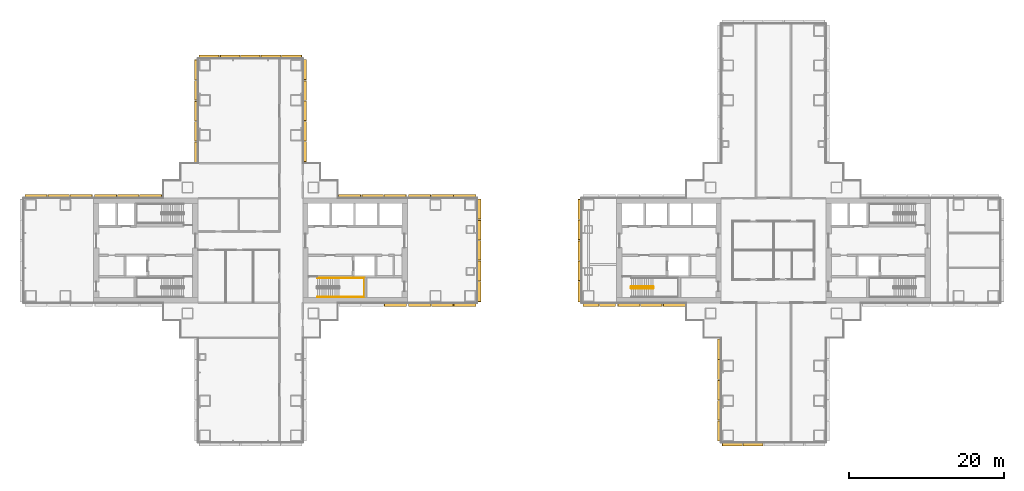
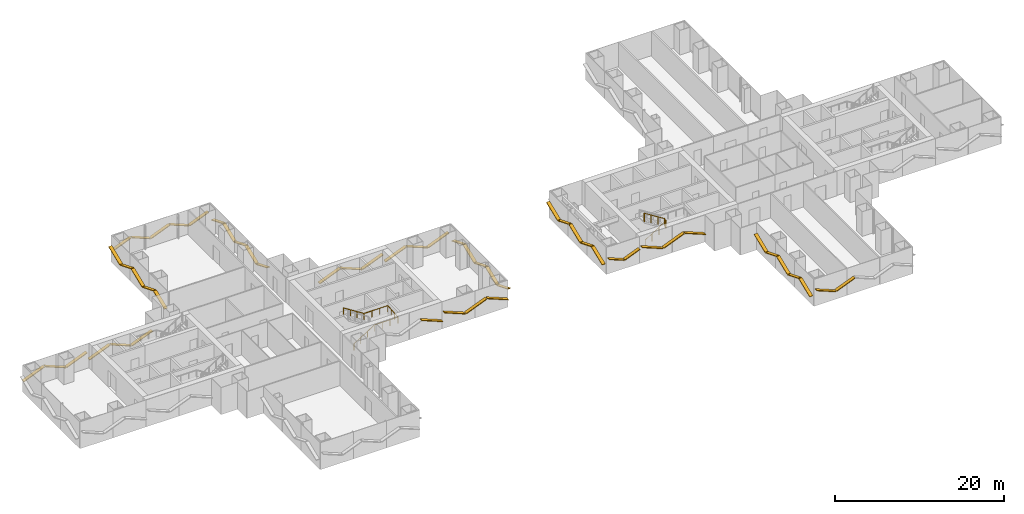
# One storey, part 19 of 21: 53 shading devices, 2 railings.
"""IFC4 building model written with IfcOpenShell, lengths in metres."""

from ifc_helpers import new_model, si_unit, direction, frame, origin, origin_2d, place, context, subcontext, project, spatial, rectangle, circle, extrude, material, material_profile, profile_set, type_object, element, save


model = new_model("IFC4")

# Units and contexts
model_context = context("Model", 3, precision=1e-05, world=origin(), true_north=direction((0.0, 1.0)))
body_context = subcontext(model_context, "Body", "Model", "MODEL_VIEW")
ifc_project = project(units=[si_unit("LENGTHUNIT", "METRE"), si_unit("AREAUNIT", "SQUARE_METRE"), si_unit("VOLUMEUNIT", "CUBIC_METRE"), si_unit("PLANEANGLEUNIT", "RADIAN"), si_unit("MASSUNIT", "GRAM", prefix="KILO")], contexts=[model_context])

# Site, building, storey
site_placement = place(None, origin())
site = spatial("IfcSite", under=ifc_project, at=site_placement, CompositionType="ELEMENT")
building_placement = place(site_placement, origin())
building = spatial("IfcBuilding", under=site, at=building_placement, Name="Shamsa Quay Exchange Towers", CompositionType="ELEMENT")
storey_placement = place(building_placement, frame((0.0, 0.0, 57.60009765625)))
storey = spatial("IfcBuildingStorey", under=building, at=storey_placement, Name="L12", CompositionType="ELEMENT", Elevation=57.60009765625)

# Shading devices
ifc_material_1 = material(Name="Aluminium EN AW-6063 T6, black anodised", Category="aluminium")
ifc_material_profile = material_profile(ifc_material_1, rectangle(XDim=0.449951171875, YDim=0.10009765625, at=origin_2d()), Name="FIN450x100")
ifc_profile_set = profile_set([ifc_material_profile], Name="Aluminium EN AW-6063 T6, black anodised")
shading_device_type = type_object("IfcShadingDeviceType", Name="FIN 450x100 BLACK ALUMINIUM", PredefinedType="USERDEFINED", material=ifc_profile_set)
shading_device_1_placement = place(storey_placement, frame((-16.4873046875, -7.01904296875, 2.173095703125), z_axis=(0.927172570945, 0.0, -0.374634520148), x_axis=(0.0, 1.0, 0.0)))
element("IfcShadingDevice", 1, at=shading_device_1_placement, inside=storey, type_object=shading_device_type, Name="FIN T1 chevron rib", ObjectType="FIN", PredefinedType="USERDEFINED", context=body_context, shape_type="SweptSolid", body=[
    extrude(rectangle(XDim=0.449951171875, YDim=0.10009765625, at=origin_2d()), origin(), (0.0, 0.0, 1.0), 3.060302734375),
])
shading_device_2_placement = place(storey_placement, frame((-13.35009765625, -7.014892578125, 2.175537109375), z_axis=(0.927200465101, 0.0, -0.374565478278), x_axis=(0.0, 1.0, 0.0)))
element("IfcShadingDevice", 2, at=shading_device_2_placement, inside=storey, type_object=shading_device_type, Name="FIN T1 chevron rib", ObjectType="FIN", PredefinedType="USERDEFINED", context=body_context, shape_type="SweptSolid", body=[
    extrude(rectangle(XDim=0.449951171875, YDim=0.10009765625, at=origin_2d()), origin(), (0.0, 0.0, 1.0), 3.073974609375),
])
shading_device_3_placement = place(storey_placement, frame((-10.39990234375, -7.014892578125, 1.0341796875), z_axis=(0.927166240011, 0.0, 0.37465018802), x_axis=(0.0, 1.0, 0.0)))
element("IfcShadingDevice", 3, at=shading_device_3_placement, inside=storey, type_object=shading_device_type, Name="FIN T1 chevron rib", ObjectType="FIN", PredefinedType="USERDEFINED", context=body_context, shape_type="SweptSolid", body=[
    extrude(rectangle(XDim=0.449951171875, YDim=0.10009765625, at=origin_2d()), origin(), (0.0, 0.0, 1.0), 3.019775390625),
])
shading_device_4_placement = place(storey_placement, frame((-7.5, -7.014892578125, 2.175537109375), z_axis=(0.927200465101, 0.0, -0.374565478278), x_axis=(0.0, 1.0, 0.0)))
element("IfcShadingDevice", 4, at=shading_device_4_placement, inside=storey, type_object=shading_device_type, Name="FIN T1 chevron rib", ObjectType="FIN", PredefinedType="USERDEFINED", context=body_context, shape_type="SweptSolid", body=[
    extrude(rectangle(XDim=0.449951171875, YDim=0.10009765625, at=origin_2d()), origin(), (0.0, 0.0, 1.0), 3.073974609375),
])
shading_device_5_placement = place(storey_placement, frame((-4.235107421875, -6.60009765625, 2.123046875), z_axis=(0.0, 0.927193392866, -0.374582984431), x_axis=(-1.0, 0.0, 0.0)))
element("IfcShadingDevice", 5, at=shading_device_5_placement, inside=storey, type_object=shading_device_type, Name="FIN T1 chevron rib", ObjectType="FIN", PredefinedType="USERDEFINED", context=body_context, shape_type="SweptSolid", body=[
    extrude(rectangle(XDim=0.449951171875, YDim=0.10009765625, at=origin_2d()), origin(), (0.0, 0.0, 1.0), 2.79345703125),
])
shading_device_6_placement = place(storey_placement, frame((-4.235107421875, -3.909912109375, 1.086669921875), z_axis=(0.0, 0.927155522456, 0.374676710219), x_axis=(-1.0, 0.0, 0.0)))
element("IfcShadingDevice", 6, at=shading_device_6_placement, inside=storey, type_object=shading_device_type, Name="FIN T1 chevron rib", ObjectType="FIN", PredefinedType="USERDEFINED", context=body_context, shape_type="SweptSolid", body=[
    extrude(rectangle(XDim=0.449951171875, YDim=0.10009765625, at=origin_2d()), origin(), (0.0, 0.0, 1.0), 2.7392578125),
])
shading_device_7_placement = place(storey_placement, frame((-4.235107421875, -1.27001953125, 2.113037109375), z_axis=(0.0, 0.927168032348, -0.374645752402), x_axis=(-1.0, 0.0, 0.0)))
element("IfcShadingDevice", 7, at=shading_device_7_placement, inside=storey, type_object=shading_device_type, Name="FIN T1 chevron rib", ObjectType="FIN", PredefinedType="USERDEFINED", context=body_context, shape_type="SweptSolid", body=[
    extrude(rectangle(XDim=0.449951171875, YDim=0.10009765625, at=origin_2d()), origin(), (0.0, 0.0, 1.0), 2.739501953125),
])
shading_device_8_placement = place(storey_placement, frame((-4.235107421875, 1.3701171875, 1.086669921875), z_axis=(0.0, 0.927155522456, 0.374676710219), x_axis=(-1.0, 0.0, 0.0)))
element("IfcShadingDevice", 8, at=shading_device_8_placement, inside=storey, type_object=shading_device_type, Name="FIN T1 chevron rib", ObjectType="FIN", PredefinedType="USERDEFINED", context=body_context, shape_type="SweptSolid", body=[
    extrude(rectangle(XDim=0.449951171875, YDim=0.10009765625, at=origin_2d()), origin(), (0.0, 0.0, 1.0), 2.7392578125),
])
shading_device_9_placement = place(storey_placement, frame((-4.235107421875, 4.010009765625, 2.123046875), z_axis=(0.0, 0.927193392866, -0.374582984431), x_axis=(-1.0, 0.0, 0.0)))
element("IfcShadingDevice", 9, at=shading_device_9_placement, inside=storey, type_object=shading_device_type, Name="FIN T1 chevron rib", ObjectType="FIN", PredefinedType="USERDEFINED", context=body_context, shape_type="SweptSolid", body=[
    extrude(rectangle(XDim=0.449951171875, YDim=0.10009765625, at=origin_2d()), origin(), (0.0, 0.0, 1.0), 2.79345703125),
])
shading_device_10_placement = place(storey_placement, frame((-4.64990234375, 7.014892578125, 2.175537109375), z_axis=(-0.927200465101, 0.0, -0.374565478278), x_axis=(0.0, -1.0, 0.0)))
element("IfcShadingDevice", 10, at=shading_device_10_placement, inside=storey, type_object=shading_device_type, Name="FIN T1 chevron rib", ObjectType="FIN", PredefinedType="USERDEFINED", context=body_context, shape_type="SweptSolid", body=[
    extrude(rectangle(XDim=0.449951171875, YDim=0.10009765625, at=origin_2d()), origin(), (0.0, 0.0, 1.0), 3.073974609375),
])
shading_device_11_placement = place(storey_placement, frame((-7.60009765625, 7.014892578125, 1.0341796875), z_axis=(-0.927166240011, 0.0, 0.37465018802), x_axis=(0.0, -1.0, 0.0)))
element("IfcShadingDevice", 11, at=shading_device_11_placement, inside=storey, type_object=shading_device_type, Name="FIN T1 chevron rib", ObjectType="FIN", PredefinedType="USERDEFINED", context=body_context, shape_type="SweptSolid", body=[
    extrude(rectangle(XDim=0.449951171875, YDim=0.10009765625, at=origin_2d()), origin(), (0.0, 0.0, 1.0), 3.019775390625),
])
for number, where, z_axis, x_axis, name in (
    (12, (-10.5, 7.014892578125, 2.175537109375), (-0.927200465101, 0.0, -0.374565478278), (0.0, -1.0, 0.0), "FIN T1 chevron rib"),
    (13, (-13.64990234375, 7.01904296875, 2.175537109375), (-0.927200465101, 0.0, -0.374565478278), (0.0, -1.0, 0.0), "FIN T1 chevron rib"),
):
    element("IfcShadingDevice", number, at=place(storey_placement, frame(where, z_axis=z_axis, x_axis=x_axis)), inside=storey, type_object=shading_device_type, Name=name, ObjectType="FIN", PredefinedType="USERDEFINED", context=body_context, shape_type="SweptSolid", body=[
        extrude(rectangle(XDim=0.449951171875, YDim=0.10009765625, at=origin_2d()), origin(), (0.0, 0.0, 1.0), 3.073974609375),
    ])
shading_device_12_placement = place(storey_placement, frame((-16.60009765625, 7.01904296875, 1.0341796875), z_axis=(-0.927166240011, 0.0, 0.37465018802), x_axis=(0.0, -1.0, 0.0)))
element("IfcShadingDevice", 14, at=shading_device_12_placement, inside=storey, type_object=shading_device_type, Name="FIN T1 chevron rib", ObjectType="FIN", PredefinedType="USERDEFINED", context=body_context, shape_type="SweptSolid", body=[
    extrude(rectangle(XDim=0.449951171875, YDim=0.10009765625, at=origin_2d()), origin(), (0.0, 0.0, 1.0), 3.019775390625),
])
shading_device_13_placement = place(storey_placement, frame((-19.5, 7.01904296875, 2.175537109375), z_axis=(-0.927200465101, 0.0, -0.374565478278), x_axis=(0.0, -1.0, 0.0)))
element("IfcShadingDevice", 15, at=shading_device_13_placement, inside=storey, type_object=shading_device_type, Name="FIN T1 chevron rib", ObjectType="FIN", PredefinedType="USERDEFINED", context=body_context, shape_type="SweptSolid", body=[
    extrude(rectangle(XDim=0.449951171875, YDim=0.10009765625, at=origin_2d()), origin(), (0.0, 0.0, 1.0), 3.073974609375),
])
shading_device_14_placement = place(storey_placement, frame((-26.735107421875, 11.43798828125, 2.12158203125), z_axis=(0.0, 0.927177443455, -0.374622461082), x_axis=(-1.0, 0.0, 0.0)))
element("IfcShadingDevice", 16, at=shading_device_14_placement, inside=storey, type_object=shading_device_type, Name="FIN T1 chevron rib", ObjectType="FIN", PredefinedType="USERDEFINED", context=body_context, shape_type="SweptSolid", body=[
    extrude(rectangle(XDim=0.449951171875, YDim=0.10009765625, at=origin_2d()), origin(), (0.0, 0.0, 1.0), 2.785400390625),
])
for number, where, z_axis, x_axis, name in (
    (17, (-26.735107421875, 14.120361328125, 1.08837890625), (0.0, 0.927182738176, 0.374609356569), (-1.0, 0.0, 0.0), "FIN T1 chevron rib"),
    (18, (-26.735107421875, 16.752685546875, 2.111572265625), (0.0, 0.927182738176, -0.374609356569), (-1.0, 0.0, 0.0), "FIN T1 chevron rib"),
):
    element("IfcShadingDevice", number, at=place(storey_placement, frame(where, z_axis=z_axis, x_axis=x_axis)), inside=storey, type_object=shading_device_type, Name=name, ObjectType="FIN", PredefinedType="USERDEFINED", context=body_context, shape_type="SweptSolid", body=[
        extrude(rectangle(XDim=0.449951171875, YDim=0.10009765625, at=origin_2d()), origin(), (0.0, 0.0, 1.0), 2.7314453125),
    ])
shading_device_15_placement = place(storey_placement, frame((-26.735107421875, 19.38525390625, 1.08837890625), z_axis=(0.0, 0.927170193131, 0.37464040488), x_axis=(-1.0, 0.0, 0.0)))
element("IfcShadingDevice", 19, at=shading_device_15_placement, inside=storey, type_object=shading_device_type, Name="FIN T1 chevron rib", ObjectType="FIN", PredefinedType="USERDEFINED", context=body_context, shape_type="SweptSolid", body=[
    extrude(rectangle(XDim=0.449951171875, YDim=0.10009765625, at=origin_2d()), origin(), (0.0, 0.0, 1.0), 2.731201171875),
])
shading_device_16_placement = place(storey_placement, frame((-26.735107421875, 22.017578125, 2.12158203125), z_axis=(0.0, 0.927177443455, -0.374622461082), x_axis=(-1.0, 0.0, 0.0)))
element("IfcShadingDevice", 20, at=shading_device_16_placement, inside=storey, type_object=shading_device_type, Name="FIN T1 chevron rib", ObjectType="FIN", PredefinedType="USERDEFINED", context=body_context, shape_type="SweptSolid", body=[
    extrude(rectangle(XDim=0.449951171875, YDim=0.10009765625, at=origin_2d()), origin(), (0.0, 0.0, 1.0), 2.785400390625),
])
shading_device_17_placement = place(storey_placement, frame((-27.14990234375, 25.014892578125, 2.123046875), z_axis=(-0.927193392866, 0.0, -0.374582984431), x_axis=(0.0, -1.0, 0.0)))
element("IfcShadingDevice", 21, at=shading_device_17_placement, inside=storey, type_object=shading_device_type, Name="FIN T1 chevron rib", ObjectType="FIN", PredefinedType="USERDEFINED", context=body_context, shape_type="SweptSolid", body=[
    extrude(rectangle(XDim=0.449951171875, YDim=0.10009765625, at=origin_2d()), origin(), (0.0, 0.0, 1.0), 2.79345703125),
])
shading_device_18_placement = place(storey_placement, frame((-29.840087890625, 25.014892578125, 1.086669921875), z_axis=(-0.927155522456, 0.0, 0.374676710219), x_axis=(0.0, -1.0, 0.0)))
element("IfcShadingDevice", 22, at=shading_device_18_placement, inside=storey, type_object=shading_device_type, Name="FIN T1 chevron rib", ObjectType="FIN", PredefinedType="USERDEFINED", context=body_context, shape_type="SweptSolid", body=[
    extrude(rectangle(XDim=0.449951171875, YDim=0.10009765625, at=origin_2d()), origin(), (0.0, 0.0, 1.0), 2.7392578125),
])
shading_device_19_placement = place(storey_placement, frame((-32.47998046875, 25.014892578125, 2.113037109375), z_axis=(-0.927168032348, 0.0, -0.374645752402), x_axis=(0.0, -1.0, 0.0)))
element("IfcShadingDevice", 23, at=shading_device_19_placement, inside=storey, type_object=shading_device_type, Name="FIN T1 chevron rib", ObjectType="FIN", PredefinedType="USERDEFINED", context=body_context, shape_type="SweptSolid", body=[
    extrude(rectangle(XDim=0.449951171875, YDim=0.10009765625, at=origin_2d()), origin(), (0.0, 0.0, 1.0), 2.739501953125),
])
shading_device_20_placement = place(storey_placement, frame((-35.1201171875, 25.014892578125, 1.086669921875), z_axis=(-0.927155522456, 0.0, 0.374676710219), x_axis=(0.0, -1.0, 0.0)))
element("IfcShadingDevice", 24, at=shading_device_20_placement, inside=storey, type_object=shading_device_type, Name="FIN T1 chevron rib", ObjectType="FIN", PredefinedType="USERDEFINED", context=body_context, shape_type="SweptSolid", body=[
    extrude(rectangle(XDim=0.449951171875, YDim=0.10009765625, at=origin_2d()), origin(), (0.0, 0.0, 1.0), 2.7392578125),
])
for number, where, z_axis, x_axis, name in (
    (25, (-37.760009765625, 25.014892578125, 2.123046875), (-0.927193392866, 0.0, -0.374582984431), (0.0, -1.0, 0.0), "FIN T1 chevron rib"),
    (26, (-40.764892578125, 24.60009765625, 2.123046875), (0.0, -0.927193392866, -0.374582984431), (1.0, 0.0, 0.0), "FIN T1 chevron rib"),
):
    element("IfcShadingDevice", number, at=place(storey_placement, frame(where, z_axis=z_axis, x_axis=x_axis)), inside=storey, type_object=shading_device_type, Name=name, ObjectType="FIN", PredefinedType="USERDEFINED", context=body_context, shape_type="SweptSolid", body=[
        extrude(rectangle(XDim=0.449951171875, YDim=0.10009765625, at=origin_2d()), origin(), (0.0, 0.0, 1.0), 2.79345703125),
    ])
shading_device_21_placement = place(storey_placement, frame((-40.764892578125, 21.909912109375, 1.086669921875), z_axis=(0.0, -0.927155522456, 0.374676710219), x_axis=(1.0, 0.0, 0.0)))
element("IfcShadingDevice", 27, at=shading_device_21_placement, inside=storey, type_object=shading_device_type, Name="FIN T1 chevron rib", ObjectType="FIN", PredefinedType="USERDEFINED", context=body_context, shape_type="SweptSolid", body=[
    extrude(rectangle(XDim=0.449951171875, YDim=0.10009765625, at=origin_2d()), origin(), (0.0, 0.0, 1.0), 2.7392578125),
])
shading_device_22_placement = place(storey_placement, frame((-40.764892578125, 19.27001953125, 2.113037109375), z_axis=(0.0, -0.927168032348, -0.374645752402), x_axis=(1.0, 0.0, 0.0)))
element("IfcShadingDevice", 28, at=shading_device_22_placement, inside=storey, type_object=shading_device_type, Name="FIN T1 chevron rib", ObjectType="FIN", PredefinedType="USERDEFINED", context=body_context, shape_type="SweptSolid", body=[
    extrude(rectangle(XDim=0.449951171875, YDim=0.10009765625, at=origin_2d()), origin(), (0.0, 0.0, 1.0), 2.739501953125),
])
shading_device_23_placement = place(storey_placement, frame((-40.764892578125, 16.6298828125, 1.086669921875), z_axis=(0.0, -0.927155522456, 0.374676710219), x_axis=(1.0, 0.0, 0.0)))
element("IfcShadingDevice", 29, at=shading_device_23_placement, inside=storey, type_object=shading_device_type, Name="FIN T1 chevron rib", ObjectType="FIN", PredefinedType="USERDEFINED", context=body_context, shape_type="SweptSolid", body=[
    extrude(rectangle(XDim=0.449951171875, YDim=0.10009765625, at=origin_2d()), origin(), (0.0, 0.0, 1.0), 2.7392578125),
])
shading_device_24_placement = place(storey_placement, frame((-40.764892578125, 13.989990234375, 2.123046875), z_axis=(0.0, -0.927193392866, -0.374582984431), x_axis=(1.0, 0.0, 0.0)))
element("IfcShadingDevice", 30, at=shading_device_24_placement, inside=storey, type_object=shading_device_type, Name="FIN T1 chevron rib", ObjectType="FIN", PredefinedType="USERDEFINED", context=body_context, shape_type="SweptSolid", body=[
    extrude(rectangle(XDim=0.449951171875, YDim=0.10009765625, at=origin_2d()), origin(), (0.0, 0.0, 1.0), 2.79345703125),
])
shading_device_25_placement = place(storey_placement, frame((-45.18798828125, 7.01904296875, 2.173095703125), z_axis=(-0.927172570945, 0.0, -0.374634520148), x_axis=(0.0, -1.0, 0.0)))
element("IfcShadingDevice", 31, at=shading_device_25_placement, inside=storey, type_object=shading_device_type, Name="FIN T1 chevron rib", ObjectType="FIN", PredefinedType="USERDEFINED", context=body_context, shape_type="SweptSolid", body=[
    extrude(rectangle(XDim=0.449951171875, YDim=0.10009765625, at=origin_2d()), origin(), (0.0, 0.0, 1.0), 3.060302734375),
])
shading_device_26_placement = place(storey_placement, frame((-48.125244140625, 7.01904296875, 1.036865234375), z_axis=(-0.927177294124, 0.0, 0.374622830673), x_axis=(0.0, -1.0, 0.0)))
element("IfcShadingDevice", 32, at=shading_device_26_placement, inside=storey, type_object=shading_device_type, Name="FIN T1 chevron rib", ObjectType="FIN", PredefinedType="USERDEFINED", context=body_context, shape_type="SweptSolid", body=[
    extrude(rectangle(XDim=0.449951171875, YDim=0.10009765625, at=origin_2d()), origin(), (0.0, 0.0, 1.0), 3.00634765625),
])
shading_device_27_placement = place(storey_placement, frame((-51.0126953125, 7.01904296875, 2.173095703125), z_axis=(-0.927172570945, 0.0, -0.374634520148), x_axis=(0.0, -1.0, 0.0)))
element("IfcShadingDevice", 33, at=shading_device_27_placement, inside=storey, type_object=shading_device_type, Name="FIN T1 chevron rib", ObjectType="FIN", PredefinedType="USERDEFINED", context=body_context, shape_type="SweptSolid", body=[
    extrude(rectangle(XDim=0.449951171875, YDim=0.10009765625, at=origin_2d()), origin(), (0.0, 0.0, 1.0), 3.060302734375),
])
shading_device_28_placement = place(storey_placement, frame((-54.14990234375, 7.014892578125, 2.175537109375), z_axis=(-0.927200465101, 0.0, -0.374565478278), x_axis=(0.0, -1.0, 0.0)))
element("IfcShadingDevice", 34, at=shading_device_28_placement, inside=storey, type_object=shading_device_type, Name="FIN T1 chevron rib", ObjectType="FIN", PredefinedType="USERDEFINED", context=body_context, shape_type="SweptSolid", body=[
    extrude(rectangle(XDim=0.449951171875, YDim=0.10009765625, at=origin_2d()), origin(), (0.0, 0.0, 1.0), 3.073974609375),
])
shading_device_29_placement = place(storey_placement, frame((-57.10009765625, 7.014892578125, 1.0341796875), z_axis=(-0.927166240011, 0.0, 0.37465018802), x_axis=(0.0, -1.0, 0.0)))
element("IfcShadingDevice", 35, at=shading_device_29_placement, inside=storey, type_object=shading_device_type, Name="FIN T1 chevron rib", ObjectType="FIN", PredefinedType="USERDEFINED", context=body_context, shape_type="SweptSolid", body=[
    extrude(rectangle(XDim=0.449951171875, YDim=0.10009765625, at=origin_2d()), origin(), (0.0, 0.0, 1.0), 3.019775390625),
])
shading_device_30_placement = place(storey_placement, frame((-60.0, 7.014892578125, 2.175537109375), z_axis=(-0.927200465101, 0.0, -0.374565478278), x_axis=(0.0, -1.0, 0.0)))
element("IfcShadingDevice", 36, at=shading_device_30_placement, inside=storey, type_object=shading_device_type, Name="FIN T1 chevron rib", ObjectType="FIN", PredefinedType="USERDEFINED", context=body_context, shape_type="SweptSolid", body=[
    extrude(rectangle(XDim=0.449951171875, YDim=0.10009765625, at=origin_2d()), origin(), (0.0, 0.0, 1.0), 3.073974609375),
])
shading_device_31_placement = place(storey_placement, frame((8.735107421875, 6.60009765625, 2.123046875), z_axis=(0.0, -0.927193392866, -0.374582984431), x_axis=(1.0, 0.0, 0.0)))
element("IfcShadingDevice", 37, at=shading_device_31_placement, inside=storey, type_object=shading_device_type, Name="FIN T2 chevron rib", ObjectType="FIN", PredefinedType="USERDEFINED", context=body_context, shape_type="SweptSolid", body=[
    extrude(rectangle(XDim=0.449951171875, YDim=0.10009765625, at=origin_2d()), origin(), (0.0, 0.0, 1.0), 2.79345703125),
])
shading_device_32_placement = place(storey_placement, frame((8.735107421875, 3.909912109375, 1.086669921875), z_axis=(0.0, -0.927155522456, 0.374676710219), x_axis=(1.0, 0.0, 0.0)))
element("IfcShadingDevice", 38, at=shading_device_32_placement, inside=storey, type_object=shading_device_type, Name="FIN T2 chevron rib", ObjectType="FIN", PredefinedType="USERDEFINED", context=body_context, shape_type="SweptSolid", body=[
    extrude(rectangle(XDim=0.449951171875, YDim=0.10009765625, at=origin_2d()), origin(), (0.0, 0.0, 1.0), 2.7392578125),
])
shading_device_33_placement = place(storey_placement, frame((8.735107421875, 1.27001953125, 2.113037109375), z_axis=(0.0, -0.927168032348, -0.374645752402), x_axis=(1.0, 0.0, 0.0)))
element("IfcShadingDevice", 39, at=shading_device_33_placement, inside=storey, type_object=shading_device_type, Name="FIN T2 chevron rib", ObjectType="FIN", PredefinedType="USERDEFINED", context=body_context, shape_type="SweptSolid", body=[
    extrude(rectangle(XDim=0.449951171875, YDim=0.10009765625, at=origin_2d()), origin(), (0.0, 0.0, 1.0), 2.739501953125),
])
shading_device_34_placement = place(storey_placement, frame((8.735107421875, -1.3701171875, 1.086669921875), z_axis=(0.0, -0.927155522456, 0.374676710219), x_axis=(1.0, 0.0, 0.0)))
element("IfcShadingDevice", 40, at=shading_device_34_placement, inside=storey, type_object=shading_device_type, Name="FIN T2 chevron rib", ObjectType="FIN", PredefinedType="USERDEFINED", context=body_context, shape_type="SweptSolid", body=[
    extrude(rectangle(XDim=0.449951171875, YDim=0.10009765625, at=origin_2d()), origin(), (0.0, 0.0, 1.0), 2.7392578125),
])
shading_device_35_placement = place(storey_placement, frame((8.735107421875, -4.010009765625, 2.123046875), z_axis=(0.0, -0.927193392866, -0.374582984431), x_axis=(1.0, 0.0, 0.0)))
element("IfcShadingDevice", 41, at=shading_device_35_placement, inside=storey, type_object=shading_device_type, Name="FIN T2 chevron rib", ObjectType="FIN", PredefinedType="USERDEFINED", context=body_context, shape_type="SweptSolid", body=[
    extrude(rectangle(XDim=0.449951171875, YDim=0.10009765625, at=origin_2d()), origin(), (0.0, 0.0, 1.0), 2.79345703125),
])
for number, where, z_axis, x_axis, name in (
    (42, (9.14990234375, -7.014892578125, 2.013916015625), (0.927207179475, 0.0, -0.374548857066), (0.0, 1.0, 0.0), "FIN T2 chevron rib"),
    (43, (11.300048828125, -7.014892578125, 1.185791015625), (0.927207179475, 0.0, 0.374548857066), (0.0, 1.0, 0.0), "FIN T2 chevron rib"),
):
    element("IfcShadingDevice", number, at=place(storey_placement, frame(where, z_axis=z_axis, x_axis=x_axis)), inside=storey, type_object=shading_device_type, Name=name, ObjectType="FIN", PredefinedType="USERDEFINED", context=body_context, shape_type="SweptSolid", body=[
        extrude(rectangle(XDim=0.449951171875, YDim=0.10009765625, at=origin_2d()), origin(), (0.0, 0.0, 1.0), 2.2109375),
    ])
shading_device_36_placement = place(storey_placement, frame((13.64990234375, -7.01904296875, 2.175537109375), z_axis=(0.927200465101, 0.0, -0.374565478278), x_axis=(0.0, 1.0, 0.0)))
element("IfcShadingDevice", 44, at=shading_device_36_placement, inside=storey, type_object=shading_device_type, Name="FIN T2 chevron rib", ObjectType="FIN", PredefinedType="USERDEFINED", context=body_context, shape_type="SweptSolid", body=[
    extrude(rectangle(XDim=0.449951171875, YDim=0.10009765625, at=origin_2d()), origin(), (0.0, 0.0, 1.0), 3.073974609375),
])
shading_device_37_placement = place(storey_placement, frame((16.60009765625, -7.01904296875, 1.0341796875), z_axis=(0.927166240011, 0.0, 0.37465018802), x_axis=(0.0, 1.0, 0.0)))
element("IfcShadingDevice", 45, at=shading_device_37_placement, inside=storey, type_object=shading_device_type, Name="FIN T2 chevron rib", ObjectType="FIN", PredefinedType="USERDEFINED", context=body_context, shape_type="SweptSolid", body=[
    extrude(rectangle(XDim=0.449951171875, YDim=0.10009765625, at=origin_2d()), origin(), (0.0, 0.0, 1.0), 3.019775390625),
])
shading_device_38_placement = place(storey_placement, frame((19.5, -7.01904296875, 2.175537109375), z_axis=(0.927200465101, 0.0, -0.374565478278), x_axis=(0.0, 1.0, 0.0)))
element("IfcShadingDevice", 46, at=shading_device_38_placement, inside=storey, type_object=shading_device_type, Name="FIN T2 chevron rib", ObjectType="FIN", PredefinedType="USERDEFINED", context=body_context, shape_type="SweptSolid", body=[
    extrude(rectangle(XDim=0.449951171875, YDim=0.10009765625, at=origin_2d()), origin(), (0.0, 0.0, 1.0), 3.073974609375),
])
shading_device_39_placement = place(storey_placement, frame((26.735107421875, -11.43798828125, 2.12158203125), z_axis=(0.0, -0.927177443455, -0.374622461082), x_axis=(1.0, 0.0, 0.0)))
element("IfcShadingDevice", 47, at=shading_device_39_placement, inside=storey, type_object=shading_device_type, Name="FIN T2 chevron rib", ObjectType="FIN", PredefinedType="USERDEFINED", context=body_context, shape_type="SweptSolid", body=[
    extrude(rectangle(XDim=0.449951171875, YDim=0.10009765625, at=origin_2d()), origin(), (0.0, 0.0, 1.0), 2.785400390625),
])
for number, where, z_axis, x_axis, name in (
    (48, (26.735107421875, -14.120361328125, 1.08837890625), (0.0, -0.927182738176, 0.374609356569), (1.0, 0.0, 0.0), "FIN T2 chevron rib"),
    (49, (26.735107421875, -16.752685546875, 2.111572265625), (0.0, -0.927182738176, -0.374609356569), (1.0, 0.0, 0.0), "FIN T2 chevron rib"),
):
    element("IfcShadingDevice", number, at=place(storey_placement, frame(where, z_axis=z_axis, x_axis=x_axis)), inside=storey, type_object=shading_device_type, Name=name, ObjectType="FIN", PredefinedType="USERDEFINED", context=body_context, shape_type="SweptSolid", body=[
        extrude(rectangle(XDim=0.449951171875, YDim=0.10009765625, at=origin_2d()), origin(), (0.0, 0.0, 1.0), 2.7314453125),
    ])
shading_device_40_placement = place(storey_placement, frame((26.735107421875, -19.38525390625, 1.08837890625), z_axis=(0.0, -0.927170193131, 0.37464040488), x_axis=(1.0, 0.0, 0.0)))
element("IfcShadingDevice", 50, at=shading_device_40_placement, inside=storey, type_object=shading_device_type, Name="FIN T2 chevron rib", ObjectType="FIN", PredefinedType="USERDEFINED", context=body_context, shape_type="SweptSolid", body=[
    extrude(rectangle(XDim=0.449951171875, YDim=0.10009765625, at=origin_2d()), origin(), (0.0, 0.0, 1.0), 2.731201171875),
])
shading_device_41_placement = place(storey_placement, frame((26.735107421875, -22.017578125, 2.12158203125), z_axis=(0.0, -0.927177443455, -0.374622461082), x_axis=(1.0, 0.0, 0.0)))
element("IfcShadingDevice", 51, at=shading_device_41_placement, inside=storey, type_object=shading_device_type, Name="FIN T2 chevron rib", ObjectType="FIN", PredefinedType="USERDEFINED", context=body_context, shape_type="SweptSolid", body=[
    extrude(rectangle(XDim=0.449951171875, YDim=0.10009765625, at=origin_2d()), origin(), (0.0, 0.0, 1.0), 2.785400390625),
])
shading_device_42_placement = place(storey_placement, frame((27.14990234375, -25.014892578125, 2.123046875), z_axis=(0.927193392866, 0.0, -0.374582984431), x_axis=(0.0, 1.0, 0.0)))
element("IfcShadingDevice", 52, at=shading_device_42_placement, inside=storey, type_object=shading_device_type, Name="FIN T2 chevron rib", ObjectType="FIN", PredefinedType="USERDEFINED", context=body_context, shape_type="SweptSolid", body=[
    extrude(rectangle(XDim=0.449951171875, YDim=0.10009765625, at=origin_2d()), origin(), (0.0, 0.0, 1.0), 2.79345703125),
])
shading_device_43_placement = place(storey_placement, frame((29.840087890625, -25.014892578125, 1.086669921875), z_axis=(0.927155522456, 0.0, 0.374676710219), x_axis=(0.0, 1.0, 0.0)))
element("IfcShadingDevice", 53, at=shading_device_43_placement, inside=storey, type_object=shading_device_type, Name="FIN T2 chevron rib", ObjectType="FIN", PredefinedType="USERDEFINED", context=body_context, shape_type="SweptSolid", body=[
    extrude(rectangle(XDim=0.449951171875, YDim=0.10009765625, at=origin_2d()), origin(), (0.0, 0.0, 1.0), 2.7392578125),
])

# Railings
ifc_material_2 = material(Name="Stainless steel", Category="steel")
railing_type_1 = type_object("IfcRailingType", Name="STAIR GUARD 1100", PredefinedType="GUARDRAIL", material=ifc_material_2)
railing_1_placement = place(storey_placement, frame((15.39990234375, -4.89990234375, 0.17724609375)))
element("IfcRailing", 54, at=railing_1_placement, inside=storey, type_object=railing_type_1, Name="L12 ST4 stair guard 1", PredefinedType="GUARDRAIL", context=body_context, shape_type="SweptSolid", body=[
    extrude(circle(Radius=0.02392578125, at=origin_2d()), frame((0.0, 0.0, 1.076171875), z_axis=(0.844908973607, 0.0, 0.534910110503), x_axis=(0.0, 1.0, 0.0)), (0.0, 0.0, 1.0), 3.31396484375),
    extrude(circle(Radius=0.02392578125, at=origin_2d()), frame((2.800048828125, 0.0, 2.8486328125), z_axis=(0.708833529934, 0.705375805398, 0.0), x_axis=(-0.705375805398, 0.708833529934, 0.0)), (0.0, 0.0, 1.0), 0.070556640625),
    extrude(circle(Radius=0.02392578125, at=origin_2d()), frame((2.85009765625, 0.0498046875, 2.8486328125), z_axis=(0.0, 1.0, 0.0), x_axis=(-1.0, 0.0, 0.0)), (0.0, 0.0, 1.0), 0.150146484375),
    extrude(circle(Radius=0.02392578125, at=origin_2d()), frame((2.85009765625, 0.199951171875, 2.8486328125), z_axis=(-0.262233686654, 0.262233686654, 0.928691007369), x_axis=(-0.707106781187, -0.707106781187, 0.0)), (0.0, 0.0, 1.0), 0.19091796875),
    extrude(circle(Radius=0.02392578125, at=origin_2d()), frame((2.800048828125, 0.25, 3.02587890625), z_axis=(-0.844908973607, 0.0, 0.534910110503), x_axis=(0.0, -1.0, 0.0)), (0.0, 0.0, 1.0), 3.31396484375),
    extrude(circle(Radius=0.02392578125, at=origin_2d()), frame((0.0, 0.25, 4.798828125), z_axis=(-0.24142163986, -0.970420317083, 0.0), x_axis=(0.970420317083, -0.24142163986, 0.0)), (0.0, 0.0, 1.0), 0.206298828125),
    extrude(circle(Radius=0.02392578125, at=origin_2d()), frame((-0.0498046875, 0.0498046875, 4.798828125), z_axis=(0.0, 1.0, 0.0), x_axis=(-1.0, 0.0, 0.0)), (0.0, 0.0, 1.0), 0.150146484375),
    extrude(circle(Radius=0.02099609375, at=origin_2d()), origin(), (0.0, 0.0, 1.0), 1.052001953125),
    extrude(circle(Radius=0.02099609375, at=origin_2d()), frame((0.933349609375, 0.0, 0.5908203125)), (0.0, 0.0, 1.0), 1.052001953125),
    extrude(circle(Radius=0.02099609375, at=origin_2d()), frame((1.86669921875, 0.0, 1.181884765625)), (0.0, 0.0, 1.0), 1.052001953125),
    extrude(circle(Radius=0.02099609375, at=origin_2d()), frame((2.800048828125, 0.0, 1.772705078125)), (0.0, 0.0, 1.0), 1.052001953125),
    extrude(circle(Radius=0.02099609375, at=origin_2d()), frame((2.85009765625, 0.0498046875, 1.772705078125)), (0.0, 0.0, 1.0), 1.052001953125),
    extrude(circle(Radius=0.02099609375, at=origin_2d()), frame((2.85009765625, 0.199951171875, 1.772705078125)), (0.0, 0.0, 1.0), 1.052001953125),
    extrude(circle(Radius=0.02099609375, at=origin_2d()), frame((2.800048828125, 0.25, 1.949951171875)), (0.0, 0.0, 1.0), 1.052001953125),
    extrude(circle(Radius=0.02099609375, at=origin_2d()), frame((1.86669921875, 0.25, 2.540771484375)), (0.0, 0.0, 1.0), 1.052001953125),
    extrude(circle(Radius=0.02099609375, at=origin_2d()), frame((0.933349609375, 0.25, 3.1318359375)), (0.0, 0.0, 1.0), 1.052001953125),
    extrude(circle(Radius=0.02099609375, at=origin_2d()), frame((0.0, 0.25, 3.72265625)), (0.0, 0.0, 1.0), 1.052001953125),
    extrude(circle(Radius=0.02099609375, at=origin_2d()), frame((-0.0498046875, 0.0498046875, 3.72265625)), (0.0, 0.0, 1.0), 1.052001953125),
    extrude(circle(Radius=0.02099609375, at=origin_2d()), frame((-0.0498046875, 0.199951171875, 3.72265625)), (0.0, 0.0, 1.0), 1.052001953125),
])
railing_type_2 = type_object("IfcRailingType", Name="STAIR HANDRAIL 900", PredefinedType="HANDRAIL", material=ifc_material_2)
railing_2_placement = place(storey_placement, frame((-25.10009765625, -6.0, 0.17724609375)))
element("IfcRailing", 55, at=railing_2_placement, inside=storey, type_object=railing_type_2, Name="L12 ST1 stair handrail 1", PredefinedType="HANDRAIL", context=body_context, shape_type="SweptSolid", body=[
    extrude(circle(Radius=0.02392578125, at=origin_2d()), frame((0.0, 0.0, 0.8759765625), z_axis=(0.844908973607, 0.0, 0.534910110503), x_axis=(0.0, 1.0, 0.0)), (0.0, 0.0, 1.0), 3.31396484375),
    extrude(circle(Radius=0.02392578125, at=origin_2d()), frame((2.800048828125, 0.0, 2.6484375), z_axis=(1.0, 0.0, 0.0), x_axis=(0.0, 1.0, 0.0)), (0.0, 0.0, 1.0), 3.25),
    extrude(circle(Radius=0.02392578125, at=origin_2d()), frame((6.050048828125, 0.0, 2.6484375), z_axis=(0.0, 0.997393199914, 0.07215819264), x_axis=(-1.0, 0.0, 0.0)), (0.0, 0.0, 1.0), 2.456298828125),
    extrude(circle(Radius=0.02392578125, at=origin_2d()), frame((6.050048828125, 2.449951171875, 2.82568359375), z_axis=(-1.0, 0.0, 0.0), x_axis=(0.0, -1.0, 0.0)), (0.0, 0.0, 1.0), 3.25),
    extrude(circle(Radius=0.02392578125, at=origin_2d()), frame((2.800048828125, 2.449951171875, 2.82568359375), z_axis=(-0.844908973607, 0.0, 0.534910110503), x_axis=(0.0, -1.0, 0.0)), (0.0, 0.0, 1.0), 3.31396484375),
    extrude(circle(Radius=0.02099609375, at=origin_2d()), origin(), (0.0, 0.0, 1.0), 0.851806640625),
    extrude(circle(Radius=0.02099609375, at=origin_2d()), frame((0.933349609375, 0.0, 0.5908203125)), (0.0, 0.0, 1.0), 0.851806640625),
    extrude(circle(Radius=0.02099609375, at=origin_2d()), frame((1.86669921875, 0.0, 1.181884765625)), (0.0, 0.0, 1.0), 0.851806640625),
    extrude(circle(Radius=0.02099609375, at=origin_2d()), frame((2.800048828125, 0.0, 1.772705078125)), (0.0, 0.0, 1.0), 0.851806640625),
    extrude(circle(Radius=0.02099609375, at=origin_2d()), frame((3.88330078125, 0.0, 1.772705078125)), (0.0, 0.0, 1.0), 0.851806640625),
    extrude(circle(Radius=0.02099609375, at=origin_2d()), frame((4.966796875, 0.0, 1.772705078125)), (0.0, 0.0, 1.0), 0.851806640625),
    extrude(circle(Radius=0.02099609375, at=origin_2d()), frame((6.050048828125, 0.0, 1.772705078125)), (0.0, 0.0, 1.0), 0.851806640625),
    extrude(circle(Radius=0.02099609375, at=origin_2d()), frame((6.050048828125, 0.816650390625, 1.831787109375)), (0.0, 0.0, 1.0), 0.851806640625),
    extrude(circle(Radius=0.02099609375, at=origin_2d()), frame((6.050048828125, 1.63330078125, 1.890869140625)), (0.0, 0.0, 1.0), 0.851806640625),
    extrude(circle(Radius=0.02099609375, at=origin_2d()), frame((6.050048828125, 2.449951171875, 1.949951171875)), (0.0, 0.0, 1.0), 0.851806640625),
    extrude(circle(Radius=0.02099609375, at=origin_2d()), frame((4.966796875, 2.449951171875, 1.949951171875)), (0.0, 0.0, 1.0), 0.851806640625),
    extrude(circle(Radius=0.02099609375, at=origin_2d()), frame((3.88330078125, 2.449951171875, 1.949951171875)), (0.0, 0.0, 1.0), 0.851806640625),
    extrude(circle(Radius=0.02099609375, at=origin_2d()), frame((2.800048828125, 2.449951171875, 1.949951171875)), (0.0, 0.0, 1.0), 0.851806640625),
    extrude(circle(Radius=0.02099609375, at=origin_2d()), frame((1.86669921875, 2.449951171875, 2.540771484375)), (0.0, 0.0, 1.0), 0.851806640625),
    extrude(circle(Radius=0.02099609375, at=origin_2d()), frame((0.933349609375, 2.449951171875, 3.1318359375)), (0.0, 0.0, 1.0), 0.851806640625),
    extrude(circle(Radius=0.02099609375, at=origin_2d()), frame((0.0, 2.449951171875, 3.72265625)), (0.0, 0.0, 1.0), 0.851806640625),
])

save(model, "model.ifc")
